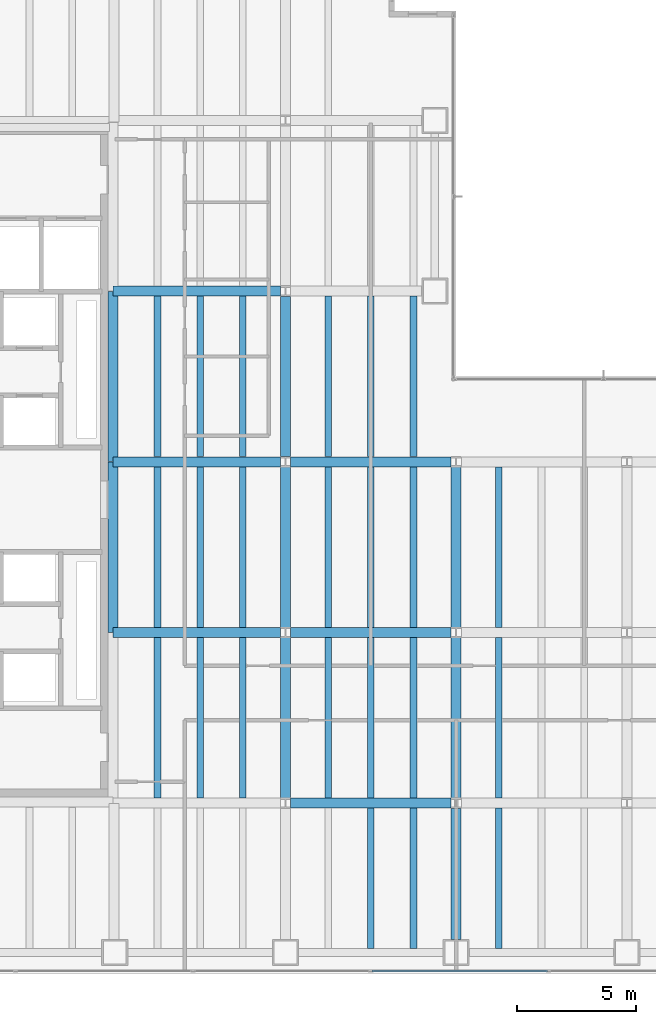
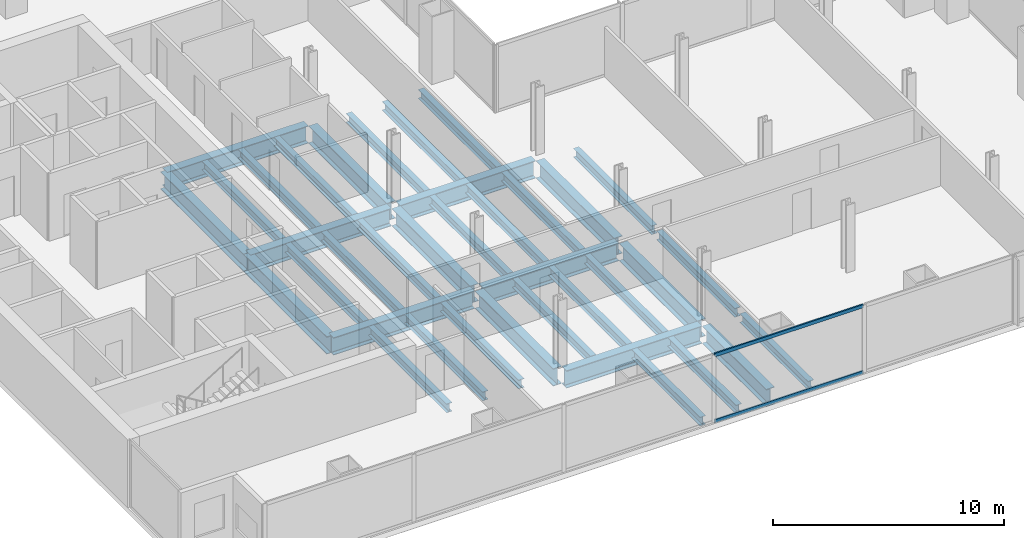
# One storey, part 5 of 25: 37 beams, 2 members, 1 element without a shape of its own.
"""IFC4 building model written with IfcOpenShell, lengths in metres."""

from ifc_helpers import new_model, si_unit, direction, frame, origin, origin_2d, place, context, subcontext, project, spatial, hollow_rectangle, i_section, extrude, material, material_profile, profile_set, type_object, element, aggregate, save


model = new_model("IFC4")

# Units and contexts
model_context = context("Model", 3, precision=1e-05, world=origin(), true_north=direction((0.0, 1.0)))
body_context = subcontext(model_context, "Body", "Model", "MODEL_VIEW")
ifc_project = project(units=[si_unit("LENGTHUNIT", "METRE"), si_unit("AREAUNIT", "SQUARE_METRE"), si_unit("VOLUMEUNIT", "CUBIC_METRE"), si_unit("PLANEANGLEUNIT", "RADIAN"), si_unit("MASSUNIT", "GRAM", prefix="KILO")], contexts=[model_context])

# Site, building, storey
site_placement = place(None, origin())
site = spatial("IfcSite", under=ifc_project, at=site_placement, CompositionType="ELEMENT")
building_placement = place(site_placement, origin())
building = spatial("IfcBuilding", under=site, at=building_placement, Name="Cobrela Telecom Tower", CompositionType="ELEMENT")
storey_placement = place(building_placement, frame((0.0, 0.0, 35.0)))
storey = spatial("IfcBuildingStorey", under=building, at=storey_placement, Name="L08", CompositionType="ELEMENT", Elevation=35.0)

# Beams
ifc_material_1 = material(Name="Steel ASTM A992 Grade 50", Category="steel")
ifc_material_profile_1 = material_profile(ifc_material_1, i_section(OverallWidth=0.4189453125, OverallDepth=0.927001953125, WebThickness=0.019287109375, FlangeThickness=0.031982421875, FilletRadius=0.02392578125, at=origin_2d()), Name="W36X231")
ifc_profile_set_1 = profile_set([ifc_material_profile_1], Name="Steel ASTM A992 Grade 50")
beam_type_1 = type_object("IfcBeamType", Name="BM-GIRD-02", PredefinedType="USERDEFINED", material=ifc_profile_set_1)
beam_1_placement = place(storey_placement, frame((21.81591796875, 7.199951171875, -0.743408203125), z_axis=(1.0, 0.0, 0.0), x_axis=(0.0, 1.0, 0.0)))
element("IfcBeam", 1, at=beam_1_placement, inside=storey, type_object=beam_type_1, Name="L08 Primary Girder X09", ObjectType="GIRDER", PredefinedType="USERDEFINED", context=body_context, shape_type="SweptSolid", body=[
    extrude(i_section(OverallWidth=0.4189453125, OverallDepth=0.927001953125, WebThickness=0.019287109375, FlangeThickness=0.031982421875, FilletRadius=0.02392578125, at=origin_2d()), origin(), (0.0, 0.0, 1.0), 6.76806640625),
])
beam_2_placement = place(storey_placement, frame((14.324951171875, 14.39990234375, -0.743408203125), z_axis=(1.0, 0.0, 0.0), x_axis=(0.0, 1.0, 0.0)))
element("IfcBeam", 2, at=beam_2_placement, inside=storey, type_object=beam_type_1, Name="L08 Primary Girder X13", ObjectType="GIRDER", PredefinedType="USERDEFINED", context=body_context, shape_type="SweptSolid", body=[
    extrude(i_section(OverallWidth=0.4189453125, OverallDepth=0.927001953125, WebThickness=0.019287109375, FlangeThickness=0.031982421875, FilletRadius=0.02392578125, at=origin_2d()), origin(), (0.0, 0.0, 1.0), 7.05908203125),
])
beam_3_placement = place(storey_placement, frame((21.81591796875, 14.39990234375, -0.743408203125), z_axis=(1.0, 0.0, 0.0), x_axis=(0.0, 1.0, 0.0)))
element("IfcBeam", 3, at=beam_3_placement, inside=storey, type_object=beam_type_1, Name="L08 Primary Girder X14", ObjectType="GIRDER", PredefinedType="USERDEFINED", context=body_context, shape_type="SweptSolid", body=[
    extrude(i_section(OverallWidth=0.4189453125, OverallDepth=0.927001953125, WebThickness=0.019287109375, FlangeThickness=0.031982421875, FilletRadius=0.02392578125, at=origin_2d()), origin(), (0.0, 0.0, 1.0), 6.76806640625),
])
beam_4_placement = place(storey_placement, frame((14.324951171875, 21.60009765625, -0.743408203125), z_axis=(1.0, 0.0, 0.0), x_axis=(0.0, 1.0, 0.0)))
element("IfcBeam", 4, at=beam_4_placement, inside=storey, type_object=beam_type_1, Name="L08 Primary Girder X18", ObjectType="GIRDER", PredefinedType="USERDEFINED", context=body_context, shape_type="SweptSolid", body=[
    extrude(i_section(OverallWidth=0.4189453125, OverallDepth=0.927001953125, WebThickness=0.019287109375, FlangeThickness=0.031982421875, FilletRadius=0.02392578125, at=origin_2d()), origin(), (0.0, 0.0, 1.0), 7.05908203125),
])
beam_5_placement = place(storey_placement, frame((21.81591796875, 21.60009765625, -0.743408203125), z_axis=(1.0, 0.0, 0.0), x_axis=(0.0, 1.0, 0.0)))
element("IfcBeam", 5, at=beam_5_placement, inside=storey, type_object=beam_type_1, Name="L08 Primary Girder X19", ObjectType="GIRDER", PredefinedType="USERDEFINED", context=body_context, shape_type="SweptSolid", body=[
    extrude(i_section(OverallWidth=0.4189453125, OverallDepth=0.927001953125, WebThickness=0.019287109375, FlangeThickness=0.031982421875, FilletRadius=0.02392578125, at=origin_2d()), origin(), (0.0, 0.0, 1.0), 6.76806640625),
])
beam_6_placement = place(storey_placement, frame((14.324951171875, 28.800048828125, -0.743408203125), z_axis=(1.0, 0.0, 0.0), x_axis=(0.0, 1.0, 0.0)))
element("IfcBeam", 6, at=beam_6_placement, inside=storey, type_object=beam_type_1, Name="L08 Primary Girder X23", ObjectType="GIRDER", PredefinedType="USERDEFINED", context=body_context, shape_type="SweptSolid", body=[
    extrude(i_section(OverallWidth=0.4189453125, OverallDepth=0.927001953125, WebThickness=0.019287109375, FlangeThickness=0.031982421875, FilletRadius=0.02392578125, at=origin_2d()), origin(), (0.0, 0.0, 1.0), 7.05908203125),
])
for number, where, z_axis, x_axis, name in (
    (7, (14.320068359375, 14.405029296875, -0.743408203125), (0.0, 1.0, 0.0), (-1.0, 0.0, 0.0), "L08 Primary Girder Y36"),
    (8, (14.320068359375, 21.60498046875, -0.743408203125), (0.0, 1.0, 0.0), (-1.0, 0.0, 0.0), "L08 Primary Girder Y37"),
):
    element("IfcBeam", number, at=place(storey_placement, frame(where, z_axis=z_axis, x_axis=x_axis)), inside=storey, type_object=beam_type_1, Name=name, ObjectType="GIRDER", PredefinedType="USERDEFINED", context=body_context, shape_type="SweptSolid", body=[
        extrude(i_section(OverallWidth=0.4189453125, OverallDepth=0.927001953125, WebThickness=0.019287109375, FlangeThickness=0.031982421875, FilletRadius=0.02392578125, at=origin_2d()), origin(), (0.0, 0.0, 1.0), 7.18994140625),
    ])
for number, where, z_axis, x_axis, name in (
    (9, (21.60009765625, 7.416015625, -0.743408203125), (0.0, 1.0, 0.0), (-1.0, 0.0, 0.0), "L08 Primary Girder Y41"),
    (10, (21.60009765625, 14.615966796875, -0.743408203125), (0.0, 1.0, 0.0), (-1.0, 0.0, 0.0), "L08 Primary Girder Y42"),
    (11, (21.60009765625, 21.81591796875, -0.743408203125), (0.0, 1.0, 0.0), (-1.0, 0.0, 0.0), "L08 Primary Girder Y43"),
):
    element("IfcBeam", number, at=place(storey_placement, frame(where, z_axis=z_axis, x_axis=x_axis)), inside=storey, type_object=beam_type_1, Name=name, ObjectType="GIRDER", PredefinedType="USERDEFINED", context=body_context, shape_type="SweptSolid", body=[
        extrude(i_section(OverallWidth=0.4189453125, OverallDepth=0.927001953125, WebThickness=0.019287109375, FlangeThickness=0.031982421875, FilletRadius=0.02392578125, at=origin_2d()), origin(), (0.0, 0.0, 1.0), 6.76806640625),
    ])
beam_7_placement = place(storey_placement, frame((28.800048828125, 1.455078125, -0.743408203125), z_axis=(0.0, 1.0, 0.0), x_axis=(-1.0, 0.0, 0.0)))
element("IfcBeam", 12, at=beam_7_placement, inside=storey, type_object=beam_type_1, Name="L08 Primary Girder Y47", ObjectType="GIRDER", PredefinedType="USERDEFINED", context=body_context, shape_type="SweptSolid", body=[
    extrude(i_section(OverallWidth=0.4189453125, OverallDepth=0.927001953125, WebThickness=0.019287109375, FlangeThickness=0.031982421875, FilletRadius=0.02392578125, at=origin_2d()), origin(), (0.0, 0.0, 1.0), 5.52880859375),
])
for number, where, z_axis, x_axis, name in (
    (13, (28.800048828125, 7.416015625, -0.743408203125), (0.0, 1.0, 0.0), (-1.0, 0.0, 0.0), "L08 Primary Girder Y48"),
    (14, (28.800048828125, 14.615966796875, -0.743408203125), (0.0, 1.0, 0.0), (-1.0, 0.0, 0.0), "L08 Primary Girder Y49"),
):
    element("IfcBeam", number, at=place(storey_placement, frame(where, z_axis=z_axis, x_axis=x_axis)), inside=storey, type_object=beam_type_1, Name=name, ObjectType="GIRDER", PredefinedType="USERDEFINED", context=body_context, shape_type="SweptSolid", body=[
        extrude(i_section(OverallWidth=0.4189453125, OverallDepth=0.927001953125, WebThickness=0.019287109375, FlangeThickness=0.031982421875, FilletRadius=0.02392578125, at=origin_2d()), origin(), (0.0, 0.0, 1.0), 6.76806640625),
    ])
ifc_material_profile_2 = material_profile(ifc_material_1, i_section(OverallWidth=0.281982421875, OverallDepth=0.467041015625, WebThickness=0.01220703125, FlangeThickness=0.01953125, FilletRadius=0.012939453125, at=origin_2d()), Name="W18X86")
ifc_profile_set_2 = profile_set([ifc_material_profile_2], Name="Steel ASTM A992 Grade 50")
beam_type_2 = type_object("IfcBeamType", Name="BM-JOIST-02", PredefinedType="JOIST", material=ifc_profile_set_2)
for number, where, z_axis, x_axis, name in (
    (15, (16.199951171875, 7.41455078125, -0.513427734375), (0.0, 1.0, 0.0), (-1.0, 0.0, 0.0), "L08 Secondary Composite Floor Beam J08"),
    (16, (16.199951171875, 14.614501953125, -0.513427734375), (0.0, 1.0, 0.0), (-1.0, 0.0, 0.0), "L08 Secondary Composite Floor Beam J09"),
    (17, (16.199951171875, 21.814453125, -0.513427734375), (0.0, 1.0, 0.0), (-1.0, 0.0, 0.0), "L08 Secondary Composite Floor Beam J10"),
    (18, (18.0, 7.41455078125, -0.513427734375), (0.0, 1.0, 0.0), (-1.0, 0.0, 0.0), "L08 Secondary Composite Floor Beam J14"),
    (19, (18.0, 14.614501953125, -0.513427734375), (0.0, 1.0, 0.0), (-1.0, 0.0, 0.0), "L08 Secondary Composite Floor Beam J15"),
    (20, (18.0, 21.814453125, -0.513427734375), (0.0, 1.0, 0.0), (-1.0, 0.0, 0.0), "L08 Secondary Composite Floor Beam J16"),
    (21, (19.800048828125, 7.41455078125, -0.513427734375), (0.0, 1.0, 0.0), (-1.0, 0.0, 0.0), "L08 Secondary Composite Floor Beam J20"),
    (22, (19.800048828125, 14.614501953125, -0.513427734375), (0.0, 1.0, 0.0), (-1.0, 0.0, 0.0), "L08 Secondary Composite Floor Beam J21"),
    (23, (19.800048828125, 21.814453125, -0.513427734375), (0.0, 1.0, 0.0), (-1.0, 0.0, 0.0), "L08 Secondary Composite Floor Beam J22"),
    (24, (23.39990234375, 7.41455078125, -0.513427734375), (0.0, 1.0, 0.0), (-1.0, 0.0, 0.0), "L08 Secondary Composite Floor Beam J26"),
    (25, (23.39990234375, 14.614501953125, -0.513427734375), (0.0, 1.0, 0.0), (-1.0, 0.0, 0.0), "L08 Secondary Composite Floor Beam J27"),
    (26, (23.39990234375, 21.814453125, -0.513427734375), (0.0, 1.0, 0.0), (-1.0, 0.0, 0.0), "L08 Secondary Composite Floor Beam J28"),
):
    element("IfcBeam", number, at=place(storey_placement, frame(where, z_axis=z_axis, x_axis=x_axis)), inside=storey, type_object=beam_type_2, Name=name, PredefinedType="JOIST", context=body_context, shape_type="SweptSolid", body=[
        extrude(i_section(OverallWidth=0.281982421875, OverallDepth=0.467041015625, WebThickness=0.01220703125, FlangeThickness=0.01953125, FilletRadius=0.012939453125, at=origin_2d()), origin(), (0.0, 0.0, 1.0), 6.77099609375),
    ])
beam_8_placement = place(storey_placement, frame((25.199951171875, 1.0673828125, -0.513427734375), z_axis=(0.0, 1.0, 0.0), x_axis=(-1.0, 0.0, 0.0)))
element("IfcBeam", 27, at=beam_8_placement, inside=storey, type_object=beam_type_2, Name="L08 Secondary Composite Floor Beam J31", PredefinedType="JOIST", context=body_context, shape_type="SweptSolid", body=[
    extrude(i_section(OverallWidth=0.281982421875, OverallDepth=0.467041015625, WebThickness=0.01220703125, FlangeThickness=0.01953125, FilletRadius=0.012939453125, at=origin_2d()), origin(), (0.0, 0.0, 1.0), 5.918212890625),
])
for number, where, z_axis, x_axis, name in (
    (28, (25.199951171875, 7.41455078125, -0.513427734375), (0.0, 1.0, 0.0), (-1.0, 0.0, 0.0), "L08 Secondary Composite Floor Beam J32"),
    (29, (25.199951171875, 14.614501953125, -0.513427734375), (0.0, 1.0, 0.0), (-1.0, 0.0, 0.0), "L08 Secondary Composite Floor Beam J33"),
    (30, (25.199951171875, 21.814453125, -0.513427734375), (0.0, 1.0, 0.0), (-1.0, 0.0, 0.0), "L08 Secondary Composite Floor Beam J34"),
):
    element("IfcBeam", number, at=place(storey_placement, frame(where, z_axis=z_axis, x_axis=x_axis)), inside=storey, type_object=beam_type_2, Name=name, PredefinedType="JOIST", context=body_context, shape_type="SweptSolid", body=[
        extrude(i_section(OverallWidth=0.281982421875, OverallDepth=0.467041015625, WebThickness=0.01220703125, FlangeThickness=0.01953125, FilletRadius=0.012939453125, at=origin_2d()), origin(), (0.0, 0.0, 1.0), 6.77099609375),
    ])
beam_9_placement = place(storey_placement, frame((27.0, 1.0673828125, -0.513427734375), z_axis=(0.0, 1.0, 0.0), x_axis=(-1.0, 0.0, 0.0)))
element("IfcBeam", 31, at=beam_9_placement, inside=storey, type_object=beam_type_2, Name="L08 Secondary Composite Floor Beam J36", PredefinedType="JOIST", context=body_context, shape_type="SweptSolid", body=[
    extrude(i_section(OverallWidth=0.281982421875, OverallDepth=0.467041015625, WebThickness=0.01220703125, FlangeThickness=0.01953125, FilletRadius=0.012939453125, at=origin_2d()), origin(), (0.0, 0.0, 1.0), 5.918212890625),
])
for number, where, z_axis, x_axis, name in (
    (32, (27.0, 7.41455078125, -0.513427734375), (0.0, 1.0, 0.0), (-1.0, 0.0, 0.0), "L08 Secondary Composite Floor Beam J37"),
    (33, (27.0, 14.614501953125, -0.513427734375), (0.0, 1.0, 0.0), (-1.0, 0.0, 0.0), "L08 Secondary Composite Floor Beam J38"),
    (34, (27.0, 21.814453125, -0.513427734375), (0.0, 1.0, 0.0), (-1.0, 0.0, 0.0), "L08 Secondary Composite Floor Beam J39"),
):
    element("IfcBeam", number, at=place(storey_placement, frame(where, z_axis=z_axis, x_axis=x_axis)), inside=storey, type_object=beam_type_2, Name=name, PredefinedType="JOIST", context=body_context, shape_type="SweptSolid", body=[
        extrude(i_section(OverallWidth=0.281982421875, OverallDepth=0.467041015625, WebThickness=0.01220703125, FlangeThickness=0.01953125, FilletRadius=0.012939453125, at=origin_2d()), origin(), (0.0, 0.0, 1.0), 6.77099609375),
    ])
beam_10_placement = place(storey_placement, frame((30.60009765625, 1.0673828125, -0.513427734375), z_axis=(0.0, 1.0, 0.0), x_axis=(-1.0, 0.0, 0.0)))
element("IfcBeam", 35, at=beam_10_placement, inside=storey, type_object=beam_type_2, Name="L08 Secondary Composite Floor Beam J41", PredefinedType="JOIST", context=body_context, shape_type="SweptSolid", body=[
    extrude(i_section(OverallWidth=0.281982421875, OverallDepth=0.467041015625, WebThickness=0.01220703125, FlangeThickness=0.01953125, FilletRadius=0.012939453125, at=origin_2d()), origin(), (0.0, 0.0, 1.0), 5.918212890625),
])
for number, where, z_axis, x_axis, name in (
    (36, (30.60009765625, 7.41455078125, -0.513427734375), (0.0, 1.0, 0.0), (-1.0, 0.0, 0.0), "L08 Secondary Composite Floor Beam J42"),
    (37, (30.60009765625, 14.614501953125, -0.513427734375), (0.0, 1.0, 0.0), (-1.0, 0.0, 0.0), "L08 Secondary Composite Floor Beam J43"),
):
    element("IfcBeam", number, at=place(storey_placement, frame(where, z_axis=z_axis, x_axis=x_axis)), inside=storey, type_object=beam_type_2, Name=name, PredefinedType="JOIST", context=body_context, shape_type="SweptSolid", body=[
        extrude(i_section(OverallWidth=0.281982421875, OverallDepth=0.467041015625, WebThickness=0.01220703125, FlangeThickness=0.01953125, FilletRadius=0.012939453125, at=origin_2d()), origin(), (0.0, 0.0, 1.0), 6.77099609375),
    ])

# Curtain wall, members
ifc_material_2 = material(Name="Anodized Bronze Aluminium 6063-T6", Category="aluminium")
curtain_wall_type = type_object("IfcCurtainWallType", Name="CW-SYS-DATA", PredefinedType="USERDEFINED", material=ifc_material_2)
curtain_wall_placement = place(storey_placement, origin())
curtain_wall = element("IfcCurtainWall", 38, at=curtain_wall_placement, inside=storey, type_object=curtain_wall_type, Name="L08 Unitised Bronze Curtain Wall 17", ObjectType="UNITISED CURTAIN WALL", PredefinedType="USERDEFINED")
ifc_material_profile_3 = material_profile(ifc_material_2, hollow_rectangle(XDim=0.074951171875, YDim=0.179931640625, WallThickness=0.00390625, at=origin_2d()), Name="ALU 75x180x4")
ifc_profile_set_3 = profile_set([ifc_material_profile_3], Name="Anodized Bronze Aluminium 6063-T6")
member_type = type_object("IfcMemberType", Name="CW-SYS-DATA-TRN", PredefinedType="USERDEFINED", material=ifc_profile_set_3)
member_1_placement = place(storey_placement, frame((32.65673828125, 0.1201171875, 0.03759765625), z_axis=(-1.0, 0.0, 0.0), x_axis=(0.0, -1.0, 0.0)))
member_1 = element("IfcMember", 39, at=member_1_placement, type_object=member_type, Name="CW-DATA transom 3.1", ObjectType="TRANSOM", PredefinedType="USERDEFINED", context=body_context, shape_type="SweptSolid", body=[
    extrude(hollow_rectangle(XDim=0.074951171875, YDim=0.179931640625, WallThickness=0.00390625, at=origin_2d()), origin(), (0.0, 0.0, 1.0), 7.416748046875),
])
member_2_placement = place(storey_placement, frame((32.65673828125, 0.1201171875, 3.532470703125), z_axis=(-1.0, 0.0, 0.0), x_axis=(0.0, -1.0, 0.0)))
member_2 = element("IfcMember", 40, at=member_2_placement, type_object=member_type, Name="CW-DATA transom 3.2", ObjectType="TRANSOM", PredefinedType="USERDEFINED", context=body_context, shape_type="SweptSolid", body=[
    extrude(hollow_rectangle(XDim=0.074951171875, YDim=0.179931640625, WallThickness=0.00390625, at=origin_2d()), origin(), (0.0, 0.0, 1.0), 7.416748046875),
])
aggregate(curtain_wall, [member_1, member_2])

save(model, "model.ifc")
